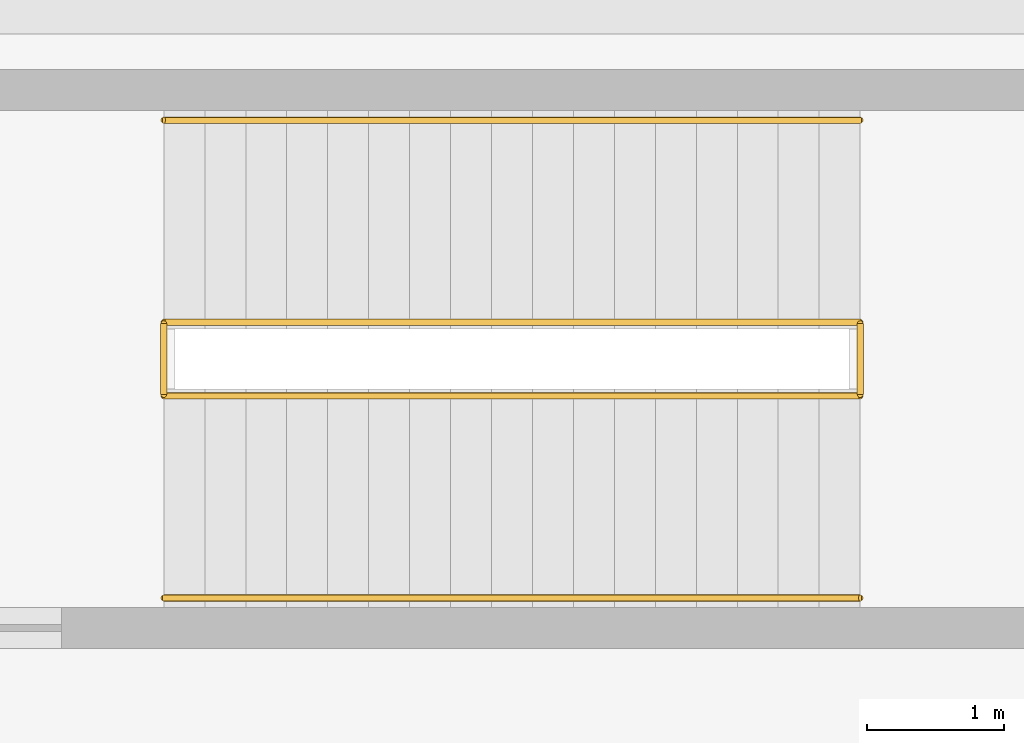
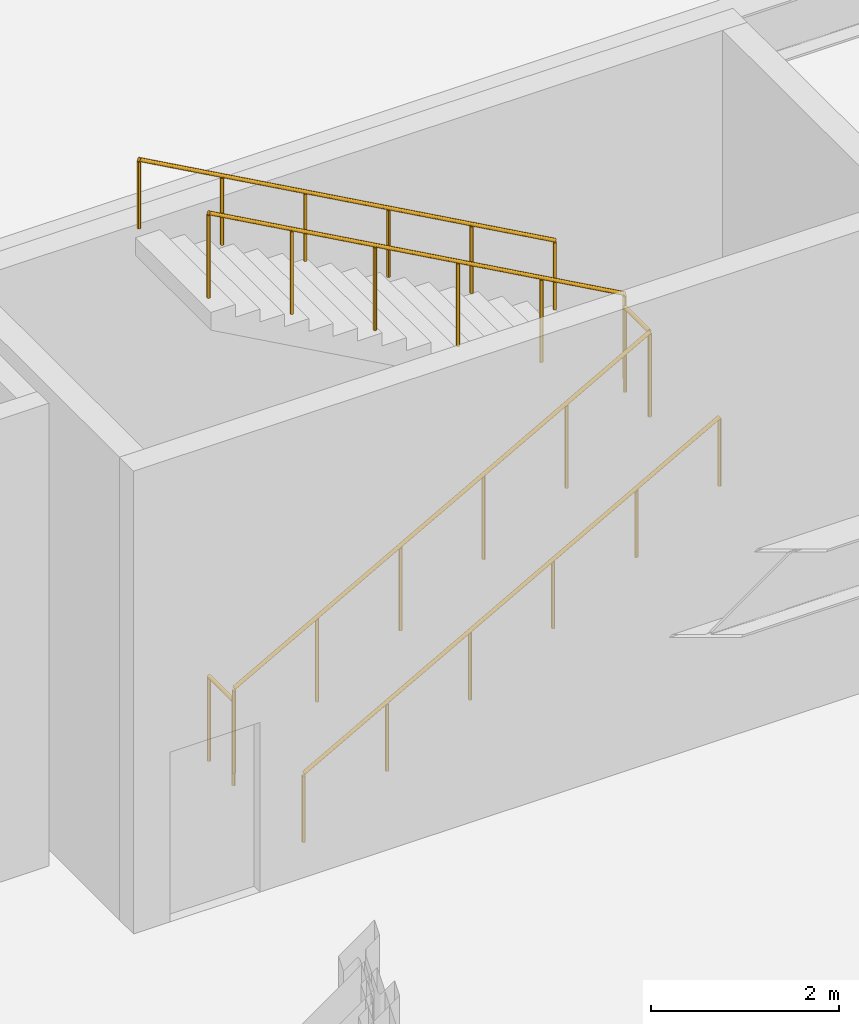
# One storey, part 106 of 108: 6 railings.
"""IFC4 building model written with IfcOpenShell, lengths in metres."""

from ifc_helpers import new_model, si_unit, direction, frame, origin, origin_2d, place, context, subcontext, project, spatial, circle, extrude, material, type_object, element, save


model = new_model("IFC4")

# Units and contexts
model_context = context("Model", 3, precision=1e-05, world=origin(), true_north=direction((0.0, 1.0)))
body_context = subcontext(model_context, "Body", "Model", "MODEL_VIEW")
ifc_project = project(units=[si_unit("LENGTHUNIT", "METRE"), si_unit("AREAUNIT", "SQUARE_METRE"), si_unit("VOLUMEUNIT", "CUBIC_METRE"), si_unit("PLANEANGLEUNIT", "RADIAN"), si_unit("MASSUNIT", "GRAM", prefix="KILO")], contexts=[model_context])

# Site, building, storey
site_placement = place(None, origin())
site = spatial("IfcSite", under=ifc_project, at=site_placement, CompositionType="ELEMENT")
building_placement = place(site_placement, origin())
building = spatial("IfcBuilding", under=site, at=building_placement, Name="Kaldorvane Square Convention Centre", CompositionType="ELEMENT")
storey_placement = place(building_placement, frame((0.0, 0.0, 12.0)))
storey = spatial("IfcBuildingStorey", under=building, at=storey_placement, Name="L02", CompositionType="ELEMENT", Elevation=12.0)

# Railings
ifc_material = material(Name="Architectural Painted Steel", Category="steel")
railing_type_1 = type_object("IfcRailingType", Name="RL-GUARD-1120", PredefinedType="BALUSTRADE", material=ifc_material)
for number, where, name in (
    (1, (67.89999389648438, 102.16999816894531, 0.0), "Tower Exit Stair T2 Floor Well Guard (L02)"),
    (2, (73.0, 102.16999816894531, 3.0), "Tower Exit Stair T2 Half-Landing Guard (L02)"),
):
    element("IfcRailing", number, at=place(storey_placement, frame(where)), inside=storey, type_object=railing_type_1, Name=name, PredefinedType="BALUSTRADE", context=body_context, shape_type="SweptSolid", body=[
        extrude(circle(Radius=0.0240020751953125, at=origin_2d()), frame((0.0, 0.0, 1.0959930419921875), z_axis=(0.0, 1.0, 0.0), x_axis=(-1.0, 0.0, 0.0)), (0.0, 0.0, 1.0), 0.5200042724609375),
        extrude(circle(Radius=0.02099609375, at=origin_2d()), origin(), (0.0, 0.0, 1.0), 1.071990966796875),
        extrude(circle(Radius=0.02099609375, at=origin_2d()), frame((0.0, 0.5200042724609375, 0.0)), (0.0, 0.0, 1.0), 1.071990966796875),
    ])
railing_1_placement = place(storey_placement, frame((67.89999389648438, 102.16000366210938, 0.1666717529296875)))
element("IfcRailing", 3, at=railing_1_placement, inside=storey, type_object=railing_type_1, Name="Tower Exit Stair T2 Flight 1 Guard (L02)", PredefinedType="BALUSTRADE", context=body_context, shape_type="SweptSolid", body=[
    extrude(circle(Radius=0.0240020751953125, at=origin_2d()), frame((0.0, 0.0, 1.0959930419921875), z_axis=(0.874157892962, 0.0, 0.485641820864), x_axis=(0.0, 1.0, 0.0)), (0.0, 0.0, 1.0), 5.834197998046875),
    extrude(circle(Radius=0.02099609375, at=origin_2d()), origin(), (0.0, 0.0, 1.0), 1.071990966796875),
    extrude(circle(Radius=0.02099609375, at=origin_2d()), frame((1.0200042724609375, 0.0, 0.5666656494140625)), (0.0, 0.0, 1.0), 1.071990966796875),
    extrude(circle(Radius=0.02099609375, at=origin_2d()), frame((2.040008544921875, 0.0, 1.133331298828125)), (0.0, 0.0, 1.0), 1.071990966796875),
    extrude(circle(Radius=0.02099609375, at=origin_2d()), frame((3.05999755859375, 0.0, 1.6999969482421875)), (0.0, 0.0, 1.0), 1.071990966796875),
    extrude(circle(Radius=0.02099609375, at=origin_2d()), frame((4.0800018310546875, 0.0, 2.26666259765625)), (0.0, 0.0, 1.0), 1.071990966796875),
    extrude(circle(Radius=0.02099609375, at=origin_2d()), frame((5.100006103515625, 0.0, 2.8333282470703125)), (0.0, 0.0, 1.0), 1.071990966796875),
])
railing_2_placement = place(storey_placement, frame((73.0, 102.69999694824219, 3.1666717529296875)))
element("IfcRailing", 4, at=railing_2_placement, inside=storey, type_object=railing_type_1, Name="Tower Exit Stair T2 Flight 2 Guard (L02)", PredefinedType="BALUSTRADE", context=body_context, shape_type="SweptSolid", body=[
    extrude(circle(Radius=0.0240020751953125, at=origin_2d()), frame((0.0, 0.0, 1.0959930419921875), z_axis=(-0.874157892962, 0.0, 0.485641820864), x_axis=(0.0, -1.0, 0.0)), (0.0, 0.0, 1.0), 5.834197998046875),
    extrude(circle(Radius=0.02099609375, at=origin_2d()), origin(), (0.0, 0.0, 1.0), 1.071990966796875),
    extrude(circle(Radius=0.02099609375, at=origin_2d()), frame((-1.0200042724609375, 0.0, 0.5666656494140625)), (0.0, 0.0, 1.0), 1.071990966796875),
    extrude(circle(Radius=0.02099609375, at=origin_2d()), frame((-2.040008544921875, 0.0, 1.133331298828125)), (0.0, 0.0, 1.0), 1.071990966796875),
    extrude(circle(Radius=0.02099609375, at=origin_2d()), frame((-3.05999755859375, 0.0, 1.6999969482421875)), (0.0, 0.0, 1.0), 1.071990966796875),
    extrude(circle(Radius=0.02099609375, at=origin_2d()), frame((-4.0800018310546875, 0.0, 2.26666259765625)), (0.0, 0.0, 1.0), 1.071990966796875),
    extrude(circle(Radius=0.02099609375, at=origin_2d()), frame((-5.100006103515625, 0.0, 2.8333282470703125)), (0.0, 0.0, 1.0), 1.071990966796875),
])
railing_type_2 = type_object("IfcRailingType", Name="RL-HAND-915", PredefinedType="HANDRAIL", material=ifc_material)
railing_3_placement = place(storey_placement, frame((67.89999389648438, 100.67999267578125, 0.1666717529296875)))
element("IfcRailing", 5, at=railing_3_placement, inside=storey, type_object=railing_type_2, Name="Tower Exit Stair T2 Wall Handrail 1 (L02)", PredefinedType="HANDRAIL", context=body_context, shape_type="SweptSolid", body=[
    extrude(circle(Radius=0.0240020751953125, at=origin_2d()), frame((0.0, 0.0, 0.8909912109375), z_axis=(0.874157892962, 0.0, 0.485641820864), x_axis=(0.0, 1.0, 0.0)), (0.0, 0.0, 1.0), 5.834197998046875),
    extrude(circle(Radius=0.02099609375, at=origin_2d()), origin(), (0.0, 0.0, 1.0), 0.8669891357421875),
    extrude(circle(Radius=0.02099609375, at=origin_2d()), frame((1.0200042724609375, 0.0, 0.5666656494140625)), (0.0, 0.0, 1.0), 0.8669891357421875),
    extrude(circle(Radius=0.02099609375, at=origin_2d()), frame((2.040008544921875, 0.0, 1.133331298828125)), (0.0, 0.0, 1.0), 0.8669891357421875),
    extrude(circle(Radius=0.02099609375, at=origin_2d()), frame((3.05999755859375, 0.0, 1.6999969482421875)), (0.0, 0.0, 1.0), 0.8669891357421875),
    extrude(circle(Radius=0.02099609375, at=origin_2d()), frame((4.0800018310546875, 0.0, 2.26666259765625)), (0.0, 0.0, 1.0), 0.8669891357421875),
    extrude(circle(Radius=0.02099609375, at=origin_2d()), frame((5.100006103515625, 0.0, 2.8333282470703125)), (0.0, 0.0, 1.0), 0.8669891357421875),
])
railing_4_placement = place(storey_placement, frame((73.0, 104.17999267578125, 3.1666717529296875)))
element("IfcRailing", 6, at=railing_4_placement, inside=storey, type_object=railing_type_2, Name="Tower Exit Stair T2 Wall Handrail 2 (L02)", PredefinedType="HANDRAIL", context=body_context, shape_type="SweptSolid", body=[
    extrude(circle(Radius=0.0240020751953125, at=origin_2d()), frame((0.0, 0.0, 0.8909912109375), z_axis=(-0.874157892962, 0.0, 0.485641820864), x_axis=(0.0, -1.0, 0.0)), (0.0, 0.0, 1.0), 5.834197998046875),
    extrude(circle(Radius=0.02099609375, at=origin_2d()), origin(), (0.0, 0.0, 1.0), 0.8669891357421875),
    extrude(circle(Radius=0.02099609375, at=origin_2d()), frame((-1.0200042724609375, 0.0, 0.5666656494140625)), (0.0, 0.0, 1.0), 0.8669891357421875),
    extrude(circle(Radius=0.02099609375, at=origin_2d()), frame((-2.040008544921875, 0.0, 1.133331298828125)), (0.0, 0.0, 1.0), 0.8669891357421875),
    extrude(circle(Radius=0.02099609375, at=origin_2d()), frame((-3.05999755859375, 0.0, 1.6999969482421875)), (0.0, 0.0, 1.0), 0.8669891357421875),
    extrude(circle(Radius=0.02099609375, at=origin_2d()), frame((-4.0800018310546875, 0.0, 2.26666259765625)), (0.0, 0.0, 1.0), 0.8669891357421875),
    extrude(circle(Radius=0.02099609375, at=origin_2d()), frame((-5.100006103515625, 0.0, 2.8333282470703125)), (0.0, 0.0, 1.0), 0.8669891357421875),
])

save(model, "model.ifc")
